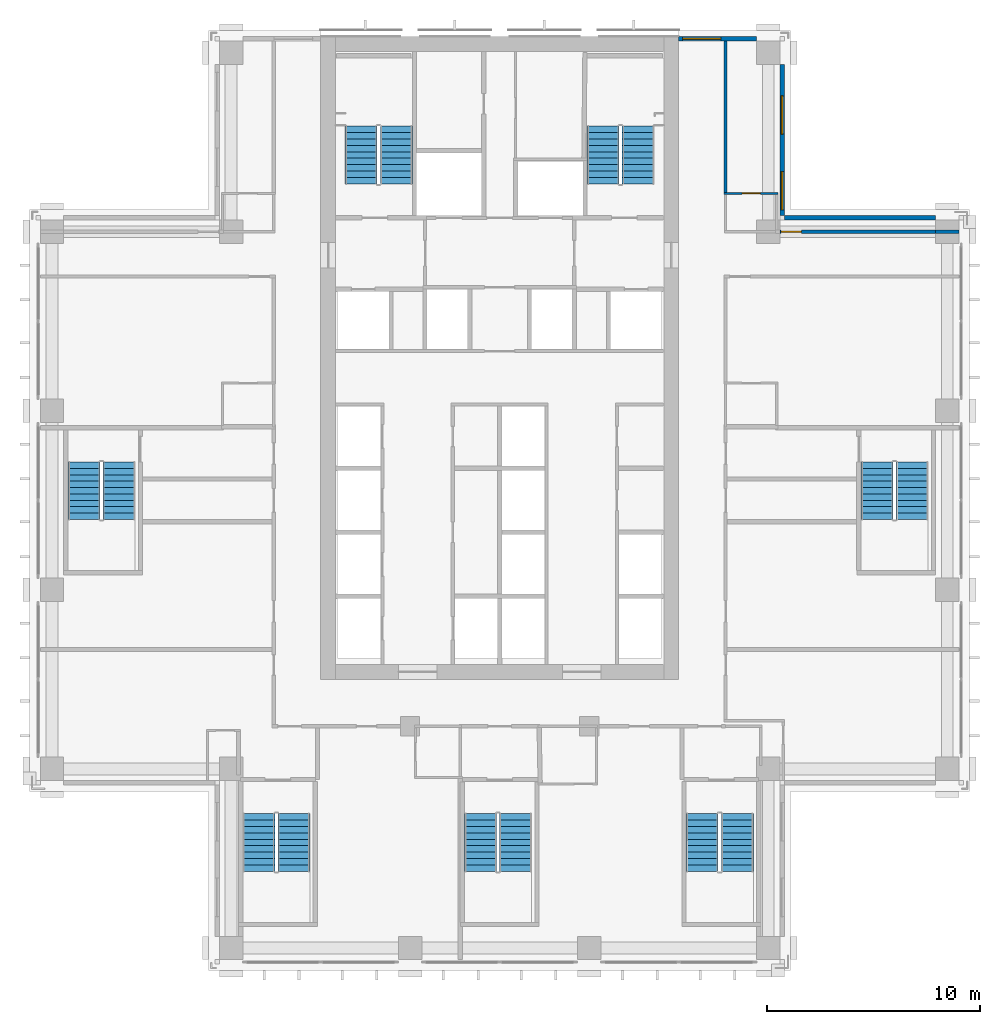
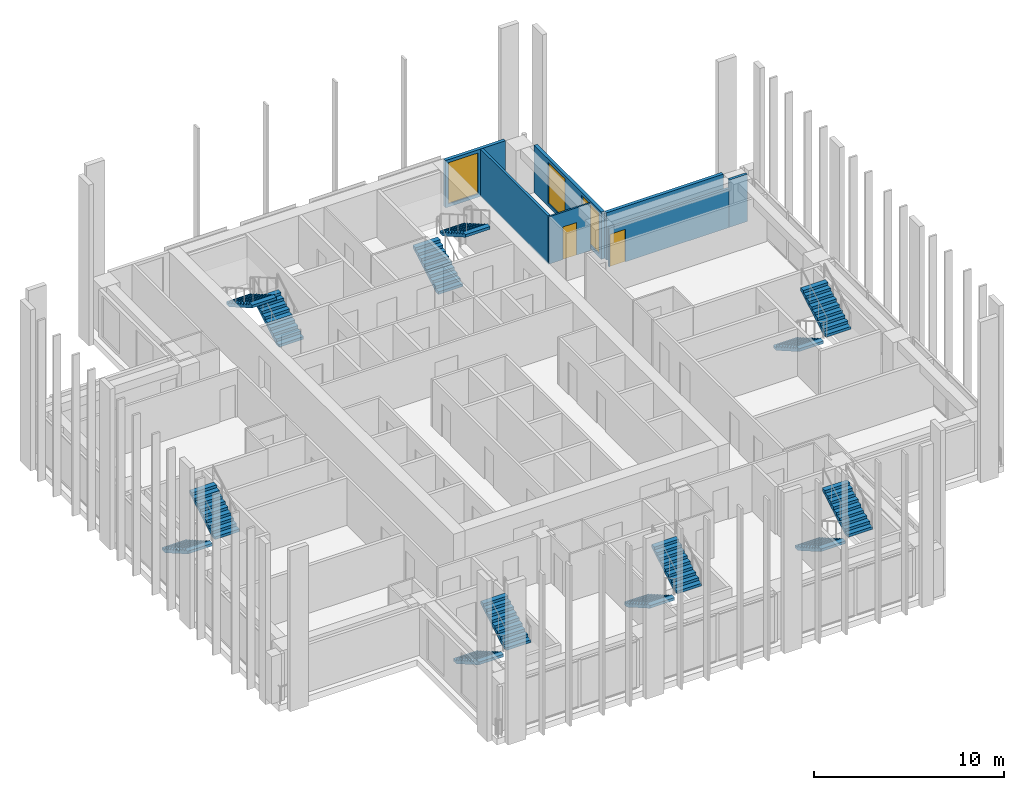
# One storey, part 13 of 16: 14 stair flights, 7 walls, 3 windows, 2 doors, 5 openings, 7 elements without a shape of their own.
"""IFC4 building model written with IfcOpenShell, lengths in metres."""

from ifc_helpers import new_model, si_unit, direction, frame, frame_2d, origin, place, context, subcontext, project, spatial, polyline, rectangle, outline, extrude, material, layer, layer_set, type_object, element, fill, aggregate, save


model = new_model("IFC4")

# Units and contexts
model_context = context("Model", 3, precision=1e-05, world=origin(), true_north=direction((0.0, 1.0)))
body_context = subcontext(model_context, "Body", "Model", "MODEL_VIEW")
ifc_project = project(units=[si_unit("LENGTHUNIT", "METRE"), si_unit("AREAUNIT", "SQUARE_METRE"), si_unit("VOLUMEUNIT", "CUBIC_METRE"), si_unit("PLANEANGLEUNIT", "RADIAN"), si_unit("MASSUNIT", "GRAM", prefix="KILO")], contexts=[model_context])

# Site, building, storey
site_placement = place(None, origin())
site = spatial("IfcSite", under=ifc_project, at=site_placement, CompositionType="ELEMENT")
building_placement = place(site_placement, origin())
building = spatial("IfcBuilding", under=site, at=building_placement, Name="Vermilion Ogive Tower", CompositionType="ELEMENT")
storey_placement = place(building_placement, frame((0.0, 0.0, 133.10009765625)))
storey = spatial("IfcBuildingStorey", under=building, at=storey_placement, Name="L33", CompositionType="ELEMENT", Elevation=133.10009765625)

# Wall, opening, door
ifc_material_1 = material(Name="Gypsum board partition on steel studs", Category="steel")
ifc_layer_1 = layer(ifc_material_1, 0.10009765625)
ifc_layer_set_1 = layer_set([ifc_layer_1], Name="Partition 100 bath")
wall_type_1 = type_object("IfcWallType", Name="Partition 100 bath", PredefinedType="PARTITIONING", material=ifc_layer_set_1)
wall_1_placement = place(storey_placement, frame((10.52490234375, 14.39990234375, 0.0), z_axis=(0.0, 0.0, 1.0), x_axis=(1.0, 0.0, 0.0)))
wall_1 = element("IfcWall", 1, at=wall_1_placement, inside=storey, type_object=wall_type_1, Name="L33-W-W036", PredefinedType="PARTITIONING", context=body_context, shape_type="SweptSolid", body=[
    extrude(rectangle(XDim=2.525146484375, YDim=0.10009765625, at=frame_2d((1.2626953125, 0.0))), origin(), (0.0, 0.0, 1.0), 3.0498046875),
])
opening_1_placement = place(wall_1_placement, frame((0.85009765625, 0.0, 0.0)))
opening_1 = element("IfcOpeningElement", 2, at=opening_1_placement, cuts=wall_1, Name="Opening D3G1016", PredefinedType="OPENING", context=body_context, shape_type="SweptSolid", body=[
    extrude(rectangle(XDim=0.85009765625, YDim=2.10009765625, at=frame_2d((0.425048828125, 1.050048828125))), frame((0.0, 0.06005859375, 0.0), z_axis=(0.0, -1.0, 0.0), x_axis=(1.0, 0.0, 0.0)), (0.0, 0.0, 1.0), 0.1201171875),
])
ifc_material_2 = material(Name="Timber door leaf", Category="wood")
door_type_1 = type_object("IfcDoorType", Name="Bath door 850 x 2100 FD30", OperationType="SINGLE_SWING_LEFT", PredefinedType="DOOR", material=ifc_material_2)
door_1_placement = place(opening_1_placement, origin())
door_1 = element("IfcDoor", 3, at=door_1_placement, inside=storey, type_object=door_type_1, Name="L33-D-D016", OperationType="SINGLE_SWING_RIGHT", OverallHeight=2.10009765625, OverallWidth=0.85009765625, PredefinedType="DOOR", context=body_context, shape_type="SweptSolid", body=[
    extrude(rectangle(XDim=0.85009765625, YDim=2.10009765625, at=frame_2d((0.425048828125, 1.050048828125))), frame((0.0, 0.02490234375, 0.0), z_axis=(0.0, -1.0, 0.0), x_axis=(1.0, 0.0, 0.0)), (0.0, 0.0, 1.0), 0.050048828125),
])
fill(opening_1, door_1)

# Wall
ifc_material_3 = material(Name="Gypsum board partition on steel studs", Category="steel")
ifc_layer_2 = layer(ifc_material_3, 0.14990234375)
ifc_layer_set_2 = layer_set([ifc_layer_2], Name="Partition 150 corridor")
wall_type_2 = type_object("IfcWallType", Name="Partition 150 corridor", PredefinedType="PARTITIONING", material=ifc_layer_set_2)
wall_2_placement = place(storey_placement, frame((10.60009765625, 14.449951171875, 0.0), z_axis=(0.0, 0.0, 1.0), x_axis=(0.0, 1.0, 0.0)))
element("IfcWall", 4, at=wall_2_placement, inside=storey, type_object=wall_type_2, Name="L33-W-W062", PredefinedType="PARTITIONING", context=body_context, shape_type="SweptSolid", body=[
    extrude(rectangle(XDim=7.10009765625, YDim=0.14990234375, at=frame_2d((3.550048828125, 0.0))), origin(), (0.0, 0.0, 1.0), 3.0498046875),
])

# Wall, opening, door
wall_3_placement = place(storey_placement, frame((13.14990234375, 12.60009765625, 0.0), z_axis=(0.0, 0.0, 1.0), x_axis=(1.0, 0.0, 0.0)))
wall_3 = element("IfcWall", 5, at=wall_3_placement, inside=storey, type_object=wall_type_2, Name="L33-W-W034-h1", PredefinedType="PARTITIONING", context=body_context, shape_type="SweptSolid", body=[
    extrude(rectangle(XDim=7.300048828125, YDim=0.14990234375, at=frame_2d((3.64990234375, 0.0))), origin(), (0.0, 0.0, 1.0), 2.5),
])
opening_2_placement = place(wall_3_placement, frame((0.050048828125, 0.0, 0.0)))
opening_2 = element("IfcOpeningElement", 6, at=opening_2_placement, cuts=wall_3, Name="Opening D3G1015", PredefinedType="OPENING", context=body_context, shape_type="SweptSolid", body=[
    extrude(rectangle(XDim=0.949951171875, YDim=2.10009765625, at=frame_2d((0.47509765625, 1.050048828125))), frame((0.0, 0.0849609375, 0.0), z_axis=(0.0, -1.0, 0.0), x_axis=(1.0, 0.0, 0.0)), (0.0, 0.0, 1.0), 0.169921875),
])
ifc_material_4 = material(Name="Timber door leaf", Category="wood")
door_type_2 = type_object("IfcDoorType", Name="Unit door 950 x 2100 FD30S", OperationType="SINGLE_SWING_LEFT", PredefinedType="DOOR", material=ifc_material_4)
door_2_placement = place(opening_2_placement, origin())
door_2 = element("IfcDoor", 7, at=door_2_placement, inside=storey, type_object=door_type_2, Name="L33-D-D015", OperationType="SINGLE_SWING_LEFT", OverallHeight=2.10009765625, OverallWidth=0.949951171875, PredefinedType="DOOR", context=body_context, shape_type="SweptSolid", body=[
    extrude(rectangle(XDim=0.949951171875, YDim=2.10009765625, at=frame_2d((0.47509765625, 1.050048828125))), frame((0.0, 0.02490234375, 0.0), z_axis=(0.0, -1.0, 0.0), x_axis=(1.0, 0.0, 0.0)), (0.0, 0.0, 1.0), 0.050048828125),
])
fill(opening_2, door_2)

# Walls
wall_4_placement = place(storey_placement, frame((20.449951171875, 12.60009765625, 0.0), z_axis=(0.0, 0.0, 1.0), x_axis=(1.0, 0.0, 0.0)))
element("IfcWall", 8, at=wall_4_placement, inside=storey, type_object=wall_type_2, Name="L33-W-W034-h2", PredefinedType="PARTITIONING", context=body_context, shape_type="SweptSolid", body=[
    extrude(rectangle(XDim=1.10009765625, YDim=0.14990234375, at=frame_2d((0.550048828125, 0.0))), origin(), (0.0, 0.0, 1.0), 3.0498046875),
])
ifc_material_5 = material(Name="Aluminium window wall framing", Category="aluminium")
ifc_layer_3 = layer(ifc_material_5, 0.199951171875)
ifc_layer_set_3 = layer_set([ifc_layer_3], Name="Window wall")
wall_type_3 = type_object("IfcWallType", Name="Window wall", PredefinedType="STANDARD", material=ifc_layer_set_3)
wall_5_placement = place(storey_placement, frame((20.449951171875, 13.25, 0.0), z_axis=(0.0, 0.0, 1.0), x_axis=(-1.0, 0.0, 0.0)))
element("IfcWall", 9, at=wall_5_placement, inside=storey, type_object=wall_type_3, Name="Window wall X31", PredefinedType="STANDARD", context=body_context, shape_type="SweptSolid", body=[
    extrude(rectangle(XDim=7.099853515625, YDim=0.199951171875, at=frame_2d((3.5498046875, 0.0))), origin(), (0.0, 0.0, 1.0), 3.0498046875),
])

# Wall, openings, windows
wall_6_placement = place(storey_placement, frame((13.25, 13.35009765625, 0.0), z_axis=(0.0, 0.0, 1.0), x_axis=(0.0, 1.0, 0.0)))
wall_6 = element("IfcWall", 10, at=wall_6_placement, inside=storey, type_object=wall_type_3, Name="Window wall X41", PredefinedType="STANDARD", context=body_context, shape_type="SweptSolid", body=[
    extrude(rectangle(XDim=7.099853515625, YDim=0.199951171875, at=frame_2d((3.5498046875, 0.0))), origin(), (0.0, 0.0, 1.0), 3.0498046875),
])
opening_3_placement = place(wall_6_placement, frame((0.27490234375, 0.0, 0.199951171875)))
opening_3 = element("IfcOpeningElement", 11, at=opening_3_placement, cuts=wall_6, Name="Opening W1-X403", PredefinedType="OPENING", context=body_context, shape_type="SweptSolid", body=[
    extrude(rectangle(XDim=1.800048828125, YDim=2.64990234375, at=frame_2d((0.89990234375, 1.324951171875))), frame((0.0, 0.10986328125, 0.0), z_axis=(0.0, -1.0, 0.0), x_axis=(1.0, 0.0, 0.0)), (0.0, 0.0, 1.0), 0.219970703125),
])
opening_4_placement = place(wall_6_placement, frame((3.824951171875, 0.0, 0.199951171875)))
opening_4 = element("IfcOpeningElement", 12, at=opening_4_placement, cuts=wall_6, Name="Opening W1-X404", PredefinedType="OPENING", context=body_context, shape_type="SweptSolid", body=[
    extrude(rectangle(XDim=1.800048828125, YDim=2.64990234375, at=frame_2d((0.89990234375, 1.324951171875))), frame((0.0, 0.10986328125, 0.0), z_axis=(0.0, -1.0, 0.0), x_axis=(1.0, 0.0, 0.0)), (0.0, 0.0, 1.0), 0.219970703125),
])
ifc_material_6 = material(Name="Aluminium framed double glazing", Category="aluminium")
window_type = type_object("IfcWindowType", Name="Guest window W1", PartitioningType="SINGLE_PANEL", PredefinedType="WINDOW", material=ifc_material_6)
window_1_placement = place(opening_3_placement, origin())
window_1 = element("IfcWindow", 13, at=window_1_placement, inside=storey, type_object=window_type, Name="Window X403", OverallHeight=2.64990234375, OverallWidth=1.800048828125, PartitioningType="SINGLE_PANEL", PredefinedType="WINDOW", context=body_context, shape_type="SweptSolid", body=[
    extrude(rectangle(XDim=1.800048828125, YDim=2.64990234375, at=frame_2d((0.89990234375, 1.324951171875))), frame((0.0, 0.030029296875, 0.0), z_axis=(0.0, -1.0, 0.0), x_axis=(1.0, 0.0, 0.0)), (0.0, 0.0, 1.0), 0.06005859375),
])
fill(opening_3, window_1)
window_2_placement = place(opening_4_placement, origin())
window_2 = element("IfcWindow", 14, at=window_2_placement, inside=storey, type_object=window_type, Name="Window X404", OverallHeight=2.64990234375, OverallWidth=1.800048828125, PartitioningType="SINGLE_PANEL", PredefinedType="WINDOW", context=body_context, shape_type="SweptSolid", body=[
    extrude(rectangle(XDim=1.800048828125, YDim=2.64990234375, at=frame_2d((0.89990234375, 1.324951171875))), frame((0.0, 0.030029296875, 0.0), z_axis=(0.0, -1.0, 0.0), x_axis=(1.0, 0.0, 0.0)), (0.0, 0.0, 1.0), 0.06005859375),
])
fill(opening_4, window_2)

# Wall, opening, window
wall_7_placement = place(storey_placement, frame((12.050048828125, 21.64990234375, 0.0), z_axis=(0.0, 0.0, 1.0), x_axis=(-1.0, 0.0, 0.0)))
wall_7 = element("IfcWall", 15, at=wall_7_placement, inside=storey, type_object=wall_type_3, Name="Window wall N11", PredefinedType="STANDARD", context=body_context, shape_type="SweptSolid", body=[
    extrude(rectangle(XDim=3.650146484375, YDim=0.199951171875, at=frame_2d((1.8251953125, 0.0))), origin(), (0.0, 0.0, 1.0), 3.0498046875),
])
opening_5_placement = place(wall_7_placement, frame((1.669921875, 0.0, 0.199951171875)))
opening_5 = element("IfcOpeningElement", 16, at=opening_5_placement, cuts=wall_7, Name="Opening W1-N102", PredefinedType="OPENING", context=body_context, shape_type="SweptSolid", body=[
    extrude(rectangle(XDim=1.800048828125, YDim=2.64990234375, at=frame_2d((0.89990234375, 1.324951171875))), frame((0.0, 0.10986328125, 0.0), z_axis=(0.0, -1.0, 0.0), x_axis=(1.0, 0.0, 0.0)), (0.0, 0.0, 1.0), 0.219970703125),
])
window_3_placement = place(opening_5_placement, origin())
window_3 = element("IfcWindow", 17, at=window_3_placement, inside=storey, type_object=window_type, Name="Window N102", OverallHeight=2.64990234375, OverallWidth=1.800048828125, PartitioningType="SINGLE_PANEL", PredefinedType="WINDOW", context=body_context, shape_type="SweptSolid", body=[
    extrude(rectangle(XDim=1.800048828125, YDim=2.64990234375, at=frame_2d((0.89990234375, 1.324951171875))), frame((0.0, 0.030029296875, 0.0), z_axis=(0.0, -1.0, 0.0), x_axis=(1.0, 0.0, 0.0)), (0.0, 0.0, 1.0), 0.06005859375),
])
fill(opening_5, window_3)

# Stair, stair flights
ifc_material_7 = material(Name="Concrete B40", Category="concrete")
stair_type = type_object("IfcStairType", Name="Exit stair 1500", PredefinedType="HALF_TURN_STAIR", material=ifc_material_7)
stair_1_placement = place(storey_placement, origin())
stair_1 = element("IfcStair", 18, at=stair_1_placement, inside=storey, type_object=stair_type, Name="L33 Exit Stair ST1", PredefinedType="HALF_TURN_STAIR")
ifc_material_8 = material(Name="Concrete B40", Category="concrete")
stair_flight_type = type_object("IfcStairFlightType", Name="Stair flight 1500", PredefinedType="STRAIGHT", material=ifc_material_8)
stair_flight_1_placement = place(storey_placement, frame((-4.85009765625, 14.85009765625, 0.0), z_axis=(0.0, 0.0, 1.0), x_axis=(0.0, 1.0, 0.0)))
stair_flight_1 = element("IfcStairFlight", 19, at=stair_flight_1_placement, type_object=stair_flight_type, Name="ST1 flight 1", NumberOfRisers=10, NumberOfTreads=9, PredefinedType="STRAIGHT", RiserHeight=0.1725, TreadLength=0.3, context=body_context, shape_type="SweptSolid", body=[
    extrude(outline(polyline([(0.0, 0.0), (0.0, 0.172607421875), (0.300048828125, 0.172607421875), (0.300048828125, 0.344970703125), (0.60009765625, 0.344970703125), (0.60009765625, 0.517578125), (0.89990234375, 0.517578125), (0.89990234375, 0.68994140625), (1.199951171875, 0.68994140625), (1.199951171875, 0.862548828125), (1.5, 0.862548828125), (1.5, 1.034912109375), (1.800048828125, 1.034912109375), (1.800048828125, 1.20751953125), (2.10009765625, 1.20751953125), (2.10009765625, 1.3798828125), (2.39990234375, 1.3798828125), (2.39990234375, 1.552490234375), (2.699951171875, 1.552490234375), (2.699951171875, 1.72509765625), (2.699951171875, 1.379638671875), (0.30078125, 0.0), (0.0, 0.0)])), frame((0.0, 0.75, 0.0), z_axis=(0.0, -1.0, 0.0), x_axis=(1.0, 0.0, 0.0)), (0.0, 0.0, 1.0), 1.5),
])
stair_flight_2_placement = place(storey_placement, frame((-6.5, 17.550048828125, 1.724853515625), z_axis=(0.0, 0.0, 1.0), x_axis=(0.0, -1.0, 0.0)))
stair_flight_2 = element("IfcStairFlight", 20, at=stair_flight_2_placement, type_object=stair_flight_type, Name="ST1 flight 2", NumberOfRisers=10, NumberOfTreads=9, PredefinedType="STRAIGHT", RiserHeight=0.1725, TreadLength=0.3, context=body_context, shape_type="SweptSolid", body=[
    extrude(outline(polyline([(0.0, 0.0), (0.0, 0.172607421875), (0.300048828125, 0.172607421875), (0.300048828125, 0.344970703125), (0.60009765625, 0.344970703125), (0.60009765625, 0.517578125), (0.89990234375, 0.517578125), (0.89990234375, 0.68994140625), (1.199951171875, 0.68994140625), (1.199951171875, 0.862548828125), (1.5, 0.862548828125), (1.5, 1.034912109375), (1.800048828125, 1.034912109375), (1.800048828125, 1.20751953125), (2.10009765625, 1.20751953125), (2.10009765625, 1.3798828125), (2.39990234375, 1.3798828125), (2.39990234375, 1.552490234375), (2.699951171875, 1.552490234375), (2.699951171875, 1.72509765625), (2.699951171875, 1.379638671875), (0.30078125, 0.0), (0.0, 0.0)])), frame((0.0, 0.75, 0.0), z_axis=(0.0, -1.0, 0.0), x_axis=(1.0, 0.0, 0.0)), (0.0, 0.0, 1.0), 1.5),
])
aggregate(stair_1, [stair_flight_1, stair_flight_2])

stair_2_placement = place(storey_placement, origin())
stair_2 = element("IfcStair", 21, at=stair_2_placement, inside=storey, type_object=stair_type, Name="L33 Exit Stair ST2", PredefinedType="HALF_TURN_STAIR")
stair_flight_3_placement = place(storey_placement, frame((4.85009765625, 14.85009765625, 0.0), z_axis=(0.0, 0.0, 1.0), x_axis=(0.0, 1.0, 0.0)))
stair_flight_3 = element("IfcStairFlight", 22, at=stair_flight_3_placement, type_object=stair_flight_type, Name="ST2 flight 1", NumberOfRisers=10, NumberOfTreads=9, PredefinedType="STRAIGHT", RiserHeight=0.1725, TreadLength=0.3, context=body_context, shape_type="SweptSolid", body=[
    extrude(outline(polyline([(0.0, 0.0), (0.0, 0.172607421875), (0.300048828125, 0.172607421875), (0.300048828125, 0.344970703125), (0.60009765625, 0.344970703125), (0.60009765625, 0.517578125), (0.89990234375, 0.517578125), (0.89990234375, 0.68994140625), (1.199951171875, 0.68994140625), (1.199951171875, 0.862548828125), (1.5, 0.862548828125), (1.5, 1.034912109375), (1.800048828125, 1.034912109375), (1.800048828125, 1.20751953125), (2.10009765625, 1.20751953125), (2.10009765625, 1.3798828125), (2.39990234375, 1.3798828125), (2.39990234375, 1.552490234375), (2.699951171875, 1.552490234375), (2.699951171875, 1.72509765625), (2.699951171875, 1.379638671875), (0.30078125, 0.0), (0.0, 0.0)])), frame((0.0, 0.75, 0.0), z_axis=(0.0, -1.0, 0.0), x_axis=(1.0, 0.0, 0.0)), (0.0, 0.0, 1.0), 1.5),
])
stair_flight_4_placement = place(storey_placement, frame((6.5, 17.550048828125, 1.724853515625), z_axis=(0.0, 0.0, 1.0), x_axis=(0.0, -1.0, 0.0)))
stair_flight_4 = element("IfcStairFlight", 23, at=stair_flight_4_placement, type_object=stair_flight_type, Name="ST2 flight 2", NumberOfRisers=10, NumberOfTreads=9, PredefinedType="STRAIGHT", RiserHeight=0.1725, TreadLength=0.3, context=body_context, shape_type="SweptSolid", body=[
    extrude(outline(polyline([(0.0, 0.0), (0.0, 0.172607421875), (0.300048828125, 0.172607421875), (0.300048828125, 0.344970703125), (0.60009765625, 0.344970703125), (0.60009765625, 0.517578125), (0.89990234375, 0.517578125), (0.89990234375, 0.68994140625), (1.199951171875, 0.68994140625), (1.199951171875, 0.862548828125), (1.5, 0.862548828125), (1.5, 1.034912109375), (1.800048828125, 1.034912109375), (1.800048828125, 1.20751953125), (2.10009765625, 1.20751953125), (2.10009765625, 1.3798828125), (2.39990234375, 1.3798828125), (2.39990234375, 1.552490234375), (2.699951171875, 1.552490234375), (2.699951171875, 1.72509765625), (2.699951171875, 1.379638671875), (0.30078125, 0.0), (0.0, 0.0)])), frame((0.0, 0.75, 0.0), z_axis=(0.0, -1.0, 0.0), x_axis=(1.0, 0.0, 0.0)), (0.0, 0.0, 1.0), 1.5),
])
aggregate(stair_2, [stair_flight_3, stair_flight_4])

stair_3_placement = place(storey_placement, origin())
stair_3 = element("IfcStair", 24, at=stair_3_placement, inside=storey, type_object=stair_type, Name="L33 Exit Stair ST3", PredefinedType="HALF_TURN_STAIR")
stair_flight_5_placement = place(storey_placement, frame((-11.300048828125, -14.699951171875, 0.0), z_axis=(0.0, 0.0, 1.0), x_axis=(0.0, -1.0, 0.0)))
stair_flight_5 = element("IfcStairFlight", 25, at=stair_flight_5_placement, type_object=stair_flight_type, Name="ST3 flight 1", NumberOfRisers=10, NumberOfTreads=9, PredefinedType="STRAIGHT", RiserHeight=0.1725, TreadLength=0.3, context=body_context, shape_type="SweptSolid", body=[
    extrude(outline(polyline([(0.0, 0.0), (0.0, 0.172607421875), (0.300048828125, 0.172607421875), (0.300048828125, 0.344970703125), (0.60009765625, 0.344970703125), (0.60009765625, 0.517578125), (0.89990234375, 0.517578125), (0.89990234375, 0.68994140625), (1.199951171875, 0.68994140625), (1.199951171875, 0.862548828125), (1.5, 0.862548828125), (1.5, 1.034912109375), (1.800048828125, 1.034912109375), (1.800048828125, 1.20751953125), (2.10009765625, 1.20751953125), (2.10009765625, 1.3798828125), (2.39990234375, 1.3798828125), (2.39990234375, 1.552490234375), (2.699951171875, 1.552490234375), (2.699951171875, 1.72509765625), (2.699951171875, 1.379638671875), (0.30078125, 0.0), (0.0, 0.0)])), frame((0.0, 0.75, 0.0), z_axis=(0.0, -1.0, 0.0), x_axis=(1.0, 0.0, 0.0)), (0.0, 0.0, 1.0), 1.5),
])
stair_flight_6_placement = place(storey_placement, frame((-9.64990234375, -17.39990234375, 1.724853515625), z_axis=(0.0, 0.0, 1.0), x_axis=(0.0, 1.0, 0.0)))
stair_flight_6 = element("IfcStairFlight", 26, at=stair_flight_6_placement, type_object=stair_flight_type, Name="ST3 flight 2", NumberOfRisers=10, NumberOfTreads=9, PredefinedType="STRAIGHT", RiserHeight=0.1725, TreadLength=0.3, context=body_context, shape_type="SweptSolid", body=[
    extrude(outline(polyline([(0.0, 0.0), (0.0, 0.172607421875), (0.300048828125, 0.172607421875), (0.300048828125, 0.344970703125), (0.60009765625, 0.344970703125), (0.60009765625, 0.517578125), (0.89990234375, 0.517578125), (0.89990234375, 0.68994140625), (1.199951171875, 0.68994140625), (1.199951171875, 0.862548828125), (1.5, 0.862548828125), (1.5, 1.034912109375), (1.800048828125, 1.034912109375), (1.800048828125, 1.20751953125), (2.10009765625, 1.20751953125), (2.10009765625, 1.3798828125), (2.39990234375, 1.3798828125), (2.39990234375, 1.552490234375), (2.699951171875, 1.552490234375), (2.699951171875, 1.72509765625), (2.699951171875, 1.379638671875), (0.30078125, 0.0), (0.0, 0.0)])), frame((0.0, 0.75, 0.0), z_axis=(0.0, -1.0, 0.0), x_axis=(1.0, 0.0, 0.0)), (0.0, 0.0, 1.0), 1.5),
])
aggregate(stair_3, [stair_flight_5, stair_flight_6])

stair_4_placement = place(storey_placement, origin())
stair_4 = element("IfcStair", 27, at=stair_4_placement, inside=storey, type_object=stair_type, Name="L33 Exit Stair ST4", PredefinedType="HALF_TURN_STAIR")
stair_flight_7_placement = place(storey_placement, frame((-0.89990234375, -14.699951171875, 0.0), z_axis=(0.0, 0.0, 1.0), x_axis=(0.0, -1.0, 0.0)))
stair_flight_7 = element("IfcStairFlight", 28, at=stair_flight_7_placement, type_object=stair_flight_type, Name="ST4 flight 1", NumberOfRisers=10, NumberOfTreads=9, PredefinedType="STRAIGHT", RiserHeight=0.1725, TreadLength=0.3, context=body_context, shape_type="SweptSolid", body=[
    extrude(outline(polyline([(0.0, 0.0), (0.0, 0.172607421875), (0.300048828125, 0.172607421875), (0.300048828125, 0.344970703125), (0.60009765625, 0.344970703125), (0.60009765625, 0.517578125), (0.89990234375, 0.517578125), (0.89990234375, 0.68994140625), (1.199951171875, 0.68994140625), (1.199951171875, 0.862548828125), (1.5, 0.862548828125), (1.5, 1.034912109375), (1.800048828125, 1.034912109375), (1.800048828125, 1.20751953125), (2.10009765625, 1.20751953125), (2.10009765625, 1.3798828125), (2.39990234375, 1.3798828125), (2.39990234375, 1.552490234375), (2.699951171875, 1.552490234375), (2.699951171875, 1.72509765625), (2.699951171875, 1.379638671875), (0.30078125, 0.0), (0.0, 0.0)])), frame((0.0, 0.75, 0.0), z_axis=(0.0, -1.0, 0.0), x_axis=(1.0, 0.0, 0.0)), (0.0, 0.0, 1.0), 1.5),
])
stair_flight_8_placement = place(storey_placement, frame((0.75, -17.39990234375, 1.724853515625), z_axis=(0.0, 0.0, 1.0), x_axis=(0.0, 1.0, 0.0)))
stair_flight_8 = element("IfcStairFlight", 29, at=stair_flight_8_placement, type_object=stair_flight_type, Name="ST4 flight 2", NumberOfRisers=10, NumberOfTreads=9, PredefinedType="STRAIGHT", RiserHeight=0.1725, TreadLength=0.3, context=body_context, shape_type="SweptSolid", body=[
    extrude(outline(polyline([(0.0, 0.0), (0.0, 0.172607421875), (0.300048828125, 0.172607421875), (0.300048828125, 0.344970703125), (0.60009765625, 0.344970703125), (0.60009765625, 0.517578125), (0.89990234375, 0.517578125), (0.89990234375, 0.68994140625), (1.199951171875, 0.68994140625), (1.199951171875, 0.862548828125), (1.5, 0.862548828125), (1.5, 1.034912109375), (1.800048828125, 1.034912109375), (1.800048828125, 1.20751953125), (2.10009765625, 1.20751953125), (2.10009765625, 1.3798828125), (2.39990234375, 1.3798828125), (2.39990234375, 1.552490234375), (2.699951171875, 1.552490234375), (2.699951171875, 1.72509765625), (2.699951171875, 1.379638671875), (0.30078125, 0.0), (0.0, 0.0)])), frame((0.0, 0.75, 0.0), z_axis=(0.0, -1.0, 0.0), x_axis=(1.0, 0.0, 0.0)), (0.0, 0.0, 1.0), 1.5),
])
aggregate(stair_4, [stair_flight_7, stair_flight_8])

stair_5_placement = place(storey_placement, origin())
stair_5 = element("IfcStair", 30, at=stair_5_placement, inside=storey, type_object=stair_type, Name="L33 Exit Stair ST5", PredefinedType="HALF_TURN_STAIR")
stair_flight_9_placement = place(storey_placement, frame((9.5, -14.699951171875, 0.0), z_axis=(0.0, 0.0, 1.0), x_axis=(0.0, -1.0, 0.0)))
stair_flight_9 = element("IfcStairFlight", 31, at=stair_flight_9_placement, type_object=stair_flight_type, Name="ST5 flight 1", NumberOfRisers=10, NumberOfTreads=9, PredefinedType="STRAIGHT", RiserHeight=0.1725, TreadLength=0.3, context=body_context, shape_type="SweptSolid", body=[
    extrude(outline(polyline([(0.0, 0.0), (0.0, 0.172607421875), (0.300048828125, 0.172607421875), (0.300048828125, 0.344970703125), (0.60009765625, 0.344970703125), (0.60009765625, 0.517578125), (0.89990234375, 0.517578125), (0.89990234375, 0.68994140625), (1.199951171875, 0.68994140625), (1.199951171875, 0.862548828125), (1.5, 0.862548828125), (1.5, 1.034912109375), (1.800048828125, 1.034912109375), (1.800048828125, 1.20751953125), (2.10009765625, 1.20751953125), (2.10009765625, 1.3798828125), (2.39990234375, 1.3798828125), (2.39990234375, 1.552490234375), (2.699951171875, 1.552490234375), (2.699951171875, 1.72509765625), (2.699951171875, 1.379638671875), (0.30078125, 0.0), (0.0, 0.0)])), frame((0.0, 0.75, 0.0), z_axis=(0.0, -1.0, 0.0), x_axis=(1.0, 0.0, 0.0)), (0.0, 0.0, 1.0), 1.5),
])
stair_flight_10_placement = place(storey_placement, frame((11.14990234375, -17.39990234375, 1.724853515625), z_axis=(0.0, 0.0, 1.0), x_axis=(0.0, 1.0, 0.0)))
stair_flight_10 = element("IfcStairFlight", 32, at=stair_flight_10_placement, type_object=stair_flight_type, Name="ST5 flight 2", NumberOfRisers=10, NumberOfTreads=9, PredefinedType="STRAIGHT", RiserHeight=0.1725, TreadLength=0.3, context=body_context, shape_type="SweptSolid", body=[
    extrude(outline(polyline([(0.0, 0.0), (0.0, 0.172607421875), (0.300048828125, 0.172607421875), (0.300048828125, 0.344970703125), (0.60009765625, 0.344970703125), (0.60009765625, 0.517578125), (0.89990234375, 0.517578125), (0.89990234375, 0.68994140625), (1.199951171875, 0.68994140625), (1.199951171875, 0.862548828125), (1.5, 0.862548828125), (1.5, 1.034912109375), (1.800048828125, 1.034912109375), (1.800048828125, 1.20751953125), (2.10009765625, 1.20751953125), (2.10009765625, 1.3798828125), (2.39990234375, 1.3798828125), (2.39990234375, 1.552490234375), (2.699951171875, 1.552490234375), (2.699951171875, 1.72509765625), (2.699951171875, 1.379638671875), (0.30078125, 0.0), (0.0, 0.0)])), frame((0.0, 0.75, 0.0), z_axis=(0.0, -1.0, 0.0), x_axis=(1.0, 0.0, 0.0)), (0.0, 0.0, 1.0), 1.5),
])
aggregate(stair_5, [stair_flight_9, stair_flight_10])

stair_6_placement = place(storey_placement, origin())
stair_6 = element("IfcStair", 33, at=stair_6_placement, inside=storey, type_object=stair_type, Name="L33 Exit Stair ST8", PredefinedType="HALF_TURN_STAIR")
stair_flight_11_placement = place(storey_placement, frame((17.699951171875, 1.800048828125, 0.0), z_axis=(0.0, 0.0, 1.0), x_axis=(0.0, -1.0, 0.0)))
stair_flight_11 = element("IfcStairFlight", 34, at=stair_flight_11_placement, type_object=stair_flight_type, Name="ST8 flight 1", NumberOfRisers=10, NumberOfTreads=9, PredefinedType="STRAIGHT", RiserHeight=0.1725, TreadLength=0.3, context=body_context, shape_type="SweptSolid", body=[
    extrude(outline(polyline([(0.0, 0.0), (0.0, 0.172607421875), (0.300048828125, 0.172607421875), (0.300048828125, 0.344970703125), (0.60009765625, 0.344970703125), (0.60009765625, 0.517578125), (0.89990234375, 0.517578125), (0.89990234375, 0.68994140625), (1.199951171875, 0.68994140625), (1.199951171875, 0.862548828125), (1.5, 0.862548828125), (1.5, 1.034912109375), (1.800048828125, 1.034912109375), (1.800048828125, 1.20751953125), (2.10009765625, 1.20751953125), (2.10009765625, 1.3798828125), (2.39990234375, 1.3798828125), (2.39990234375, 1.552490234375), (2.699951171875, 1.552490234375), (2.699951171875, 1.72509765625), (2.699951171875, 1.379638671875), (0.30078125, 0.0), (0.0, 0.0)])), frame((0.0, 0.75, 0.0), z_axis=(0.0, -1.0, 0.0), x_axis=(1.0, 0.0, 0.0)), (0.0, 0.0, 1.0), 1.5),
])
stair_flight_12_placement = place(storey_placement, frame((19.35009765625, -0.89990234375, 1.724853515625), z_axis=(0.0, 0.0, 1.0), x_axis=(0.0, 1.0, 0.0)))
stair_flight_12 = element("IfcStairFlight", 35, at=stair_flight_12_placement, type_object=stair_flight_type, Name="ST8 flight 2", NumberOfRisers=10, NumberOfTreads=9, PredefinedType="STRAIGHT", RiserHeight=0.1725, TreadLength=0.3, context=body_context, shape_type="SweptSolid", body=[
    extrude(outline(polyline([(0.0, 0.0), (0.0, 0.172607421875), (0.300048828125, 0.172607421875), (0.300048828125, 0.344970703125), (0.60009765625, 0.344970703125), (0.60009765625, 0.517578125), (0.89990234375, 0.517578125), (0.89990234375, 0.68994140625), (1.199951171875, 0.68994140625), (1.199951171875, 0.862548828125), (1.5, 0.862548828125), (1.5, 1.034912109375), (1.800048828125, 1.034912109375), (1.800048828125, 1.20751953125), (2.10009765625, 1.20751953125), (2.10009765625, 1.3798828125), (2.39990234375, 1.3798828125), (2.39990234375, 1.552490234375), (2.699951171875, 1.552490234375), (2.699951171875, 1.72509765625), (2.699951171875, 1.379638671875), (0.30078125, 0.0), (0.0, 0.0)])), frame((0.0, 0.75, 0.0), z_axis=(0.0, -1.0, 0.0), x_axis=(1.0, 0.0, 0.0)), (0.0, 0.0, 1.0), 1.5),
])
aggregate(stair_6, [stair_flight_11, stair_flight_12])

stair_7_placement = place(storey_placement, origin())
stair_7 = element("IfcStair", 36, at=stair_7_placement, inside=storey, type_object=stair_type, Name="L33 Exit Stair ST9", PredefinedType="HALF_TURN_STAIR")
stair_flight_13_placement = place(storey_placement, frame((-19.5, 1.800048828125, 0.0), z_axis=(0.0, 0.0, 1.0), x_axis=(0.0, -1.0, 0.0)))
stair_flight_13 = element("IfcStairFlight", 37, at=stair_flight_13_placement, type_object=stair_flight_type, Name="ST9 flight 1", NumberOfRisers=10, NumberOfTreads=9, PredefinedType="STRAIGHT", RiserHeight=0.1725, TreadLength=0.3, context=body_context, shape_type="SweptSolid", body=[
    extrude(outline(polyline([(0.0, 0.0), (0.0, 0.172607421875), (0.300048828125, 0.172607421875), (0.300048828125, 0.344970703125), (0.60009765625, 0.344970703125), (0.60009765625, 0.517578125), (0.89990234375, 0.517578125), (0.89990234375, 0.68994140625), (1.199951171875, 0.68994140625), (1.199951171875, 0.862548828125), (1.5, 0.862548828125), (1.5, 1.034912109375), (1.800048828125, 1.034912109375), (1.800048828125, 1.20751953125), (2.10009765625, 1.20751953125), (2.10009765625, 1.3798828125), (2.39990234375, 1.3798828125), (2.39990234375, 1.552490234375), (2.699951171875, 1.552490234375), (2.699951171875, 1.72509765625), (2.699951171875, 1.379638671875), (0.30078125, 0.0), (0.0, 0.0)])), frame((0.0, 0.75, 0.0), z_axis=(0.0, -1.0, 0.0), x_axis=(1.0, 0.0, 0.0)), (0.0, 0.0, 1.0), 1.5),
])
stair_flight_14_placement = place(storey_placement, frame((-17.85009765625, -0.89990234375, 1.724853515625), z_axis=(0.0, 0.0, 1.0), x_axis=(0.0, 1.0, 0.0)))
stair_flight_14 = element("IfcStairFlight", 38, at=stair_flight_14_placement, type_object=stair_flight_type, Name="ST9 flight 2", NumberOfRisers=10, NumberOfTreads=9, PredefinedType="STRAIGHT", RiserHeight=0.1725, TreadLength=0.3, context=body_context, shape_type="SweptSolid", body=[
    extrude(outline(polyline([(0.0, 0.0), (0.0, 0.172607421875), (0.300048828125, 0.172607421875), (0.300048828125, 0.344970703125), (0.60009765625, 0.344970703125), (0.60009765625, 0.517578125), (0.89990234375, 0.517578125), (0.89990234375, 0.68994140625), (1.199951171875, 0.68994140625), (1.199951171875, 0.862548828125), (1.5, 0.862548828125), (1.5, 1.034912109375), (1.800048828125, 1.034912109375), (1.800048828125, 1.20751953125), (2.10009765625, 1.20751953125), (2.10009765625, 1.3798828125), (2.39990234375, 1.3798828125), (2.39990234375, 1.552490234375), (2.699951171875, 1.552490234375), (2.699951171875, 1.72509765625), (2.699951171875, 1.379638671875), (0.30078125, 0.0), (0.0, 0.0)])), frame((0.0, 0.75, 0.0), z_axis=(0.0, -1.0, 0.0), x_axis=(1.0, 0.0, 0.0)), (0.0, 0.0, 1.0), 1.5),
])
aggregate(stair_7, [stair_flight_13, stair_flight_14])

save(model, "model.ifc")
